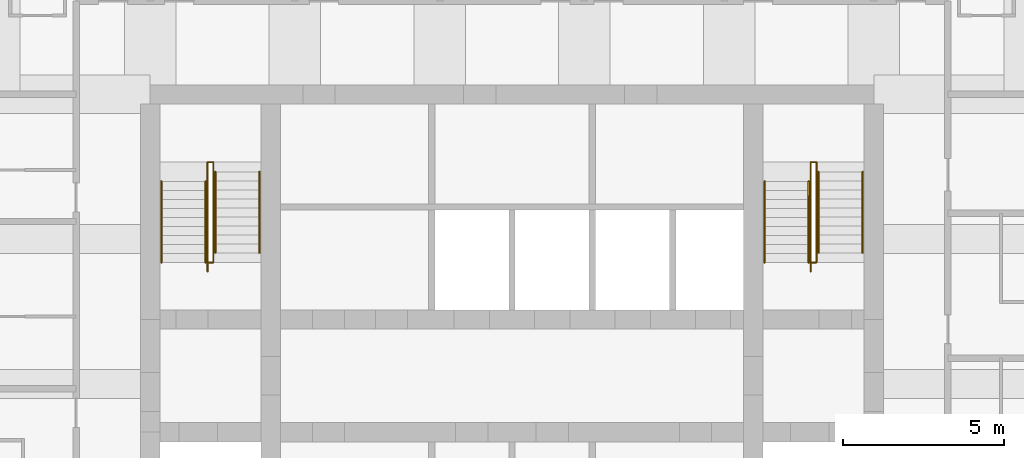
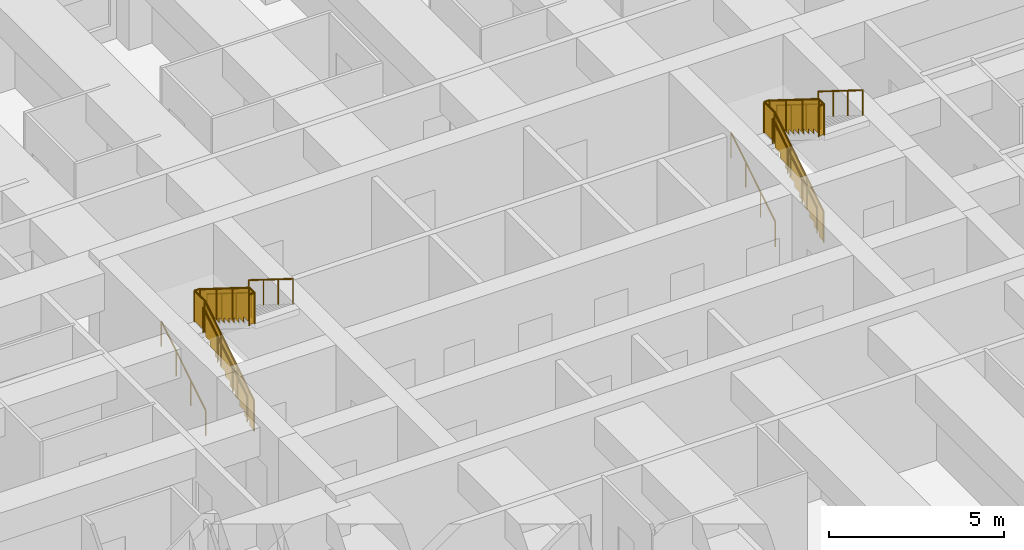
# One storey, part 8 of 8: 12 railings.
"""IFC4 building model written with IfcOpenShell, lengths in metres."""

from ifc_helpers import new_model, si_unit, direction, frame, origin, origin_2d, place, context, subcontext, project, spatial, polyline, circle, outline, extrude, material, type_object, element, save


model = new_model("IFC4")

# Units and contexts
model_context = context("Model", 3, precision=1e-05, world=origin(), true_north=direction((0.0, 1.0)))
body_context = subcontext(model_context, "Body", "Model", "MODEL_VIEW")
ifc_project = project(units=[si_unit("LENGTHUNIT", "METRE"), si_unit("AREAUNIT", "SQUARE_METRE"), si_unit("VOLUMEUNIT", "CUBIC_METRE"), si_unit("PLANEANGLEUNIT", "RADIAN"), si_unit("MASSUNIT", "GRAM", prefix="KILO")], contexts=[model_context])

# Site, building, storey
site_placement = place(None, origin())
site = spatial("IfcSite", under=ifc_project, at=site_placement, CompositionType="ELEMENT")
building_placement = place(site_placement, origin())
building = spatial("IfcBuilding", under=site, at=building_placement, Name="Kilele Tower Hotel", CompositionType="ELEMENT")
storey_placement = place(building_placement, frame((0.0, 0.0, 190.39990234375)))
storey = spatial("IfcBuildingStorey", under=building, at=storey_placement, Name="L49", CompositionType="ELEMENT", Elevation=190.39990234375)

# Railings
ifc_material_1 = material(Name="Steel handrail", Category="steel")
railing_type_1 = type_object("IfcRailingType", Name="Handrail 900", PredefinedType="HANDRAIL", material=ifc_material_1)
for number, where, name in (
    (1, (13.85009765625, 21.77490234375, 0.175048828125), "Handrail ST1 flight 1"),
    (2, (15.22509765625, 21.77490234375, 0.175048828125), "Handrail ST1 flight 1"),
):
    element("IfcRailing", number, at=place(storey_placement, frame(where)), inside=storey, type_object=railing_type_1, Name=name, PredefinedType="HANDRAIL", context=body_context, shape_type="SweptSolid", body=[
        extrude(circle(Radius=0.02490234375, at=origin_2d()), frame((0.0, 0.0, 0.875), z_axis=(0.0, 0.848007534815, 0.529984170421), x_axis=(-1.0, 0.0, 0.0)), (0.0, 0.0, 1.0), 2.9716796875),
        extrude(circle(Radius=0.02001953125, at=origin_2d()), origin(), (0.0, 0.0, 1.0), 0.849853515625),
        extrude(circle(Radius=0.02001953125, at=origin_2d()), frame((0.0, 0.840087890625, 0.52490234375)), (0.0, 0.0, 1.0), 0.849853515625),
        extrude(circle(Radius=0.02001953125, at=origin_2d()), frame((0.0, 1.679931640625, 1.050048828125)), (0.0, 0.0, 1.0), 0.849853515625),
        extrude(circle(Radius=0.02001953125, at=origin_2d()), frame((0.0, 2.52001953125, 1.574951171875)), (0.0, 0.0, 1.0), 0.849853515625),
    ])
for number, where, name in (
    (3, (15.52490234375, 24.594970703125, 1.925048828125), "Handrail ST1 flight 2"),
    (4, (16.89990234375, 24.594970703125, 1.925048828125), "Handrail ST1 flight 2"),
):
    element("IfcRailing", number, at=place(storey_placement, frame(where)), inside=storey, type_object=railing_type_1, Name=name, PredefinedType="HANDRAIL", context=body_context, shape_type="SweptSolid", body=[
        extrude(circle(Radius=0.02490234375, at=origin_2d()), frame((0.0, 0.0, 0.875), z_axis=(0.0, -0.848007534815, 0.529984170421), x_axis=(1.0, 0.0, 0.0)), (0.0, 0.0, 1.0), 2.9716796875),
        extrude(circle(Radius=0.02001953125, at=origin_2d()), origin(), (0.0, 0.0, 1.0), 0.849853515625),
        extrude(circle(Radius=0.02001953125, at=origin_2d()), frame((0.0, -0.840087890625, 0.52490234375)), (0.0, 0.0, 1.0), 0.849853515625),
        extrude(circle(Radius=0.02001953125, at=origin_2d()), frame((0.0, -1.679931640625, 1.050048828125)), (0.0, 0.0, 1.0), 0.849853515625),
        extrude(circle(Radius=0.02001953125, at=origin_2d()), frame((0.0, -2.52001953125, 1.574951171875)), (0.0, 0.0, 1.0), 0.849853515625),
    ])
for number, where, name in (
    (5, (32.60009765625, 21.77490234375, 0.175048828125), "Handrail ST2 flight 1"),
    (6, (33.97509765625, 21.77490234375, 0.175048828125), "Handrail ST2 flight 1"),
):
    element("IfcRailing", number, at=place(storey_placement, frame(where)), inside=storey, type_object=railing_type_1, Name=name, PredefinedType="HANDRAIL", context=body_context, shape_type="SweptSolid", body=[
        extrude(circle(Radius=0.02490234375, at=origin_2d()), frame((0.0, 0.0, 0.875), z_axis=(0.0, 0.848007534815, 0.529984170421), x_axis=(-1.0, 0.0, 0.0)), (0.0, 0.0, 1.0), 2.9716796875),
        extrude(circle(Radius=0.02001953125, at=origin_2d()), origin(), (0.0, 0.0, 1.0), 0.849853515625),
        extrude(circle(Radius=0.02001953125, at=origin_2d()), frame((0.0, 0.840087890625, 0.52490234375)), (0.0, 0.0, 1.0), 0.849853515625),
        extrude(circle(Radius=0.02001953125, at=origin_2d()), frame((0.0, 1.679931640625, 1.050048828125)), (0.0, 0.0, 1.0), 0.849853515625),
        extrude(circle(Radius=0.02001953125, at=origin_2d()), frame((0.0, 2.52001953125, 1.574951171875)), (0.0, 0.0, 1.0), 0.849853515625),
    ])
for number, where, name in (
    (7, (34.27490234375, 24.594970703125, 1.925048828125), "Handrail ST2 flight 2"),
    (8, (35.64990234375, 24.594970703125, 1.925048828125), "Handrail ST2 flight 2"),
):
    element("IfcRailing", number, at=place(storey_placement, frame(where)), inside=storey, type_object=railing_type_1, Name=name, PredefinedType="HANDRAIL", context=body_context, shape_type="SweptSolid", body=[
        extrude(circle(Radius=0.02490234375, at=origin_2d()), frame((0.0, 0.0, 0.875), z_axis=(0.0, -0.848007534815, 0.529984170421), x_axis=(1.0, 0.0, 0.0)), (0.0, 0.0, 1.0), 2.9716796875),
        extrude(circle(Radius=0.02001953125, at=origin_2d()), origin(), (0.0, 0.0, 1.0), 0.849853515625),
        extrude(circle(Radius=0.02001953125, at=origin_2d()), frame((0.0, -0.840087890625, 0.52490234375)), (0.0, 0.0, 1.0), 0.849853515625),
        extrude(circle(Radius=0.02001953125, at=origin_2d()), frame((0.0, -1.679931640625, 1.050048828125)), (0.0, 0.0, 1.0), 0.849853515625),
        extrude(circle(Radius=0.02001953125, at=origin_2d()), frame((0.0, -2.52001953125, 1.574951171875)), (0.0, 0.0, 1.0), 0.849853515625),
    ])
ifc_material_2 = material(Name="Steel guard", Category="steel")
railing_type_2 = type_object("IfcRailingType", Name="Stair guard 1100", PredefinedType="GUARDRAIL", material=ifc_material_2)
railing_1_placement = place(storey_placement, frame((15.284912109375, 21.4951171875, 0.0)))
element("IfcRailing", 9, at=railing_1_placement, inside=storey, type_object=railing_type_2, Name="Stair well guard ST1 flight 1", PredefinedType="GUARDRAIL", context=body_context, shape_type="SweptSolid", body=[
    extrude(circle(Radius=0.02490234375, at=origin_2d()), frame((0.0, 0.0, 1.0751953125), z_axis=(0.0, 0.847981687118, 0.530025526095), x_axis=(-1.0, 0.0, 0.0)), (0.0, 0.0, 1.0), 3.3017578125),
    extrude(circle(Radius=0.02490234375, at=origin_2d()), frame((0.0, 2.7998046875, 2.8251953125), z_axis=(0.0, 1.0, 0.0), x_axis=(-1.0, 0.0, 0.0)), (0.0, 0.0, 1.0), 0.60009765625),
    extrude(circle(Radius=0.02490234375, at=origin_2d()), frame((0.0, 3.39990234375, 2.8251953125), z_axis=(1.0, 0.0, 0.0), x_axis=(0.0, 1.0, 0.0)), (0.0, 0.0, 1.0), 0.18017578125),
    extrude(circle(Radius=0.02490234375, at=origin_2d()), origin(), (0.0, 0.0, 1.0), 1.050048828125),
    extrude(circle(Radius=0.02490234375, at=origin_2d()), frame((0.0, 0.933349609375, 0.583251953125)), (0.0, 0.0, 1.0), 1.050048828125),
    extrude(circle(Radius=0.02490234375, at=origin_2d()), frame((0.0, 1.866455078125, 1.166748046875)), (0.0, 0.0, 1.0), 1.050048828125),
    extrude(circle(Radius=0.02490234375, at=origin_2d()), frame((0.0, 2.7998046875, 1.75)), (0.0, 0.0, 1.0), 1.050048828125),
    extrude(circle(Radius=0.02490234375, at=origin_2d()), frame((0.0, 3.39990234375, 1.75)), (0.0, 0.0, 1.0), 1.050048828125),
    extrude(circle(Radius=0.02490234375, at=origin_2d()), frame((0.18017578125, 3.39990234375, 1.75)), (0.0, 0.0, 1.0), 1.050048828125),
    extrude(outline(polyline([(0.012451171875, 0.030029296875), (0.25, 0.030029296875), (0.25, 0.205078125), (0.530029296875, 0.205078125), (0.530029296875, 0.380126953125), (0.809814453125, 0.380126953125), (0.809814453125, 0.554931640625), (1.08984375, 0.554931640625), (1.08984375, 0.72998046875), (1.369873046875, 0.72998046875), (1.369873046875, 0.905029296875), (1.64990234375, 0.905029296875), (1.64990234375, 1.080078125), (1.929931640625, 1.080078125), (1.929931640625, 1.255126953125), (2.209716796875, 1.255126953125), (2.209716796875, 1.429931640625), (2.48974609375, 1.429931640625), (2.48974609375, 1.60498046875), (2.769775390625, 1.60498046875), (2.769775390625, 1.780029296875), (2.787353515625, 1.780029296875), (2.787353515625, 2.787841796875), (0.012451171875, 1.053466796875), (0.012451171875, 0.030029296875)])), frame((-0.005859375, 0.0, 0.0), z_axis=(1.0, 0.0, 0.0), x_axis=(0.0, 1.0, 0.0)), (0.0, 0.0, 1.0), 0.011962890625),
    extrude(outline(polyline([(0.012451171875, 0.030029296875), (0.587646484375, 0.030029296875), (0.587646484375, 1.050048828125), (0.012451171875, 1.050048828125), (0.012451171875, 0.030029296875)])), frame((-0.005859375, 2.7998046875, 1.75), z_axis=(1.0, 0.0, 0.0), x_axis=(0.0, 1.0, 0.0)), (0.0, 0.0, 1.0), 0.011962890625),
    extrude(outline(polyline([(0.012451171875, 0.030029296875), (0.18017578125, 0.030029296875), (0.18017578125, 1.050048828125), (0.012451171875, 1.050048828125), (0.012451171875, 0.030029296875)])), frame((0.0, 3.40576171875, 1.75), z_axis=(0.0, -1.0, 0.0), x_axis=(1.0, 0.0, 0.0)), (0.0, 0.0, 1.0), 0.011962890625),
])
railing_2_placement = place(storey_placement, frame((15.465087890625, 24.89501953125, 1.75)))
element("IfcRailing", 10, at=railing_2_placement, inside=storey, type_object=railing_type_2, Name="Stair well guard ST1 flight 2", PredefinedType="GUARDRAIL", context=body_context, shape_type="SweptSolid", body=[
    extrude(circle(Radius=0.02490234375, at=origin_2d()), frame((0.0, 0.0, 1.0751953125), z_axis=(0.0, -1.0, 0.0), x_axis=(1.0, 0.0, 0.0)), (0.0, 0.0, 1.0), 0.02001953125),
    extrude(circle(Radius=0.02490234375, at=origin_2d()), frame((0.0, -0.02001953125, 1.0751953125), z_axis=(0.0, -0.848002457836, 0.529992293815), x_axis=(1.0, 0.0, 0.0)), (0.0, 0.0, 1.0), 3.302001953125),
    extrude(circle(Radius=0.02490234375, at=origin_2d()), frame((0.0, -2.820068359375, 2.8251953125), z_axis=(0.0, -1.0, 0.0), x_axis=(1.0, 0.0, 0.0)), (0.0, 0.0, 1.0), 0.300048828125),
    extrude(circle(Radius=0.02490234375, at=origin_2d()), frame((0.0, -3.1201171875, 2.8251953125), z_axis=(-1.0, 0.0, 0.0), x_axis=(0.0, -1.0, 0.0)), (0.0, 0.0, 1.0), 0.18017578125),
    extrude(circle(Radius=0.02490234375, at=origin_2d()), origin(), (0.0, 0.0, 1.0), 1.050048828125),
    extrude(circle(Radius=0.02490234375, at=origin_2d()), frame((0.0, -0.02001953125, 0.0)), (0.0, 0.0, 1.0), 1.050048828125),
    extrude(circle(Radius=0.02490234375, at=origin_2d()), frame((0.0, -0.953369140625, 0.583251953125)), (0.0, 0.0, 1.0), 1.050048828125),
    extrude(circle(Radius=0.02490234375, at=origin_2d()), frame((0.0, -1.88671875, 1.166748046875)), (0.0, 0.0, 1.0), 1.050048828125),
    extrude(circle(Radius=0.02490234375, at=origin_2d()), frame((0.0, -2.820068359375, 1.75)), (0.0, 0.0, 1.0), 1.050048828125),
    extrude(circle(Radius=0.02490234375, at=origin_2d()), frame((0.0, -3.1201171875, 1.75)), (0.0, 0.0, 1.0), 1.050048828125),
    extrude(circle(Radius=0.02490234375, at=origin_2d()), frame((-0.18017578125, -3.1201171875, 1.75)), (0.0, 0.0, 1.0), 1.050048828125),
    extrude(outline(polyline([(0.012451171875, 0.030029296875), (0.25, 0.030029296875), (0.25, 0.205078125), (0.530029296875, 0.205078125), (0.530029296875, 0.380126953125), (0.81005859375, 0.380126953125), (0.81005859375, 0.554931640625), (1.090087890625, 0.554931640625), (1.090087890625, 0.72998046875), (1.3701171875, 0.72998046875), (1.3701171875, 0.905029296875), (1.64990234375, 0.905029296875), (1.64990234375, 1.080078125), (1.929931640625, 1.080078125), (1.929931640625, 1.255126953125), (2.2099609375, 1.255126953125), (2.2099609375, 1.429931640625), (2.489990234375, 1.429931640625), (2.489990234375, 1.60498046875), (2.77001953125, 1.60498046875), (2.77001953125, 1.780029296875), (2.78759765625, 1.780029296875), (2.78759765625, 2.787841796875), (0.012451171875, 1.053466796875), (0.012451171875, 0.030029296875)])), frame((0.005859375, -0.02001953125, 0.0), z_axis=(-1.0, 0.0, 0.0), x_axis=(0.0, -1.0, 0.0)), (0.0, 0.0, 1.0), 0.011962890625),
    extrude(outline(polyline([(0.012451171875, 0.030029296875), (0.28759765625, 0.030029296875), (0.28759765625, 1.050048828125), (0.012451171875, 1.050048828125), (0.012451171875, 0.030029296875)])), frame((0.005859375, -2.820068359375, 1.75), z_axis=(-1.0, 0.0, 0.0), x_axis=(0.0, -1.0, 0.0)), (0.0, 0.0, 1.0), 0.011962890625),
    extrude(outline(polyline([(0.012451171875, 0.030029296875), (0.18017578125, 0.030029296875), (0.18017578125, 1.050048828125), (0.012451171875, 1.050048828125), (0.012451171875, 0.030029296875)])), frame((0.0, -3.1259765625, 1.75), z_axis=(0.0, 1.0, 0.0), x_axis=(-1.0, 0.0, 0.0)), (0.0, 0.0, 1.0), 0.011962890625),
])
railing_3_placement = place(storey_placement, frame((34.034912109375, 21.4951171875, 0.0)))
element("IfcRailing", 11, at=railing_3_placement, inside=storey, type_object=railing_type_2, Name="Stair well guard ST2 flight 1", PredefinedType="GUARDRAIL", context=body_context, shape_type="SweptSolid", body=[
    extrude(circle(Radius=0.02490234375, at=origin_2d()), frame((0.0, 0.0, 1.0751953125), z_axis=(0.0, 0.847981687118, 0.530025526095), x_axis=(-1.0, 0.0, 0.0)), (0.0, 0.0, 1.0), 3.3017578125),
    extrude(circle(Radius=0.02490234375, at=origin_2d()), frame((0.0, 2.7998046875, 2.8251953125), z_axis=(0.0, 1.0, 0.0), x_axis=(-1.0, 0.0, 0.0)), (0.0, 0.0, 1.0), 0.60009765625),
    extrude(circle(Radius=0.02490234375, at=origin_2d()), frame((0.0, 3.39990234375, 2.8251953125), z_axis=(1.0, 0.0, 0.0), x_axis=(0.0, 1.0, 0.0)), (0.0, 0.0, 1.0), 0.18017578125),
    extrude(circle(Radius=0.02490234375, at=origin_2d()), origin(), (0.0, 0.0, 1.0), 1.050048828125),
    extrude(circle(Radius=0.02490234375, at=origin_2d()), frame((0.0, 0.933349609375, 0.583251953125)), (0.0, 0.0, 1.0), 1.050048828125),
    extrude(circle(Radius=0.02490234375, at=origin_2d()), frame((0.0, 1.866455078125, 1.166748046875)), (0.0, 0.0, 1.0), 1.050048828125),
    extrude(circle(Radius=0.02490234375, at=origin_2d()), frame((0.0, 2.7998046875, 1.75)), (0.0, 0.0, 1.0), 1.050048828125),
    extrude(circle(Radius=0.02490234375, at=origin_2d()), frame((0.0, 3.39990234375, 1.75)), (0.0, 0.0, 1.0), 1.050048828125),
    extrude(circle(Radius=0.02490234375, at=origin_2d()), frame((0.18017578125, 3.39990234375, 1.75)), (0.0, 0.0, 1.0), 1.050048828125),
    extrude(outline(polyline([(0.012451171875, 0.030029296875), (0.25, 0.030029296875), (0.25, 0.205078125), (0.530029296875, 0.205078125), (0.530029296875, 0.380126953125), (0.809814453125, 0.380126953125), (0.809814453125, 0.554931640625), (1.08984375, 0.554931640625), (1.08984375, 0.72998046875), (1.369873046875, 0.72998046875), (1.369873046875, 0.905029296875), (1.64990234375, 0.905029296875), (1.64990234375, 1.080078125), (1.929931640625, 1.080078125), (1.929931640625, 1.255126953125), (2.209716796875, 1.255126953125), (2.209716796875, 1.429931640625), (2.48974609375, 1.429931640625), (2.48974609375, 1.60498046875), (2.769775390625, 1.60498046875), (2.769775390625, 1.780029296875), (2.787353515625, 1.780029296875), (2.787353515625, 2.787841796875), (0.012451171875, 1.053466796875), (0.012451171875, 0.030029296875)])), frame((-0.005859375, 0.0, 0.0), z_axis=(1.0, 0.0, 0.0), x_axis=(0.0, 1.0, 0.0)), (0.0, 0.0, 1.0), 0.011962890625),
    extrude(outline(polyline([(0.012451171875, 0.030029296875), (0.587646484375, 0.030029296875), (0.587646484375, 1.050048828125), (0.012451171875, 1.050048828125), (0.012451171875, 0.030029296875)])), frame((-0.005859375, 2.7998046875, 1.75), z_axis=(1.0, 0.0, 0.0), x_axis=(0.0, 1.0, 0.0)), (0.0, 0.0, 1.0), 0.011962890625),
    extrude(outline(polyline([(0.012451171875, 0.030029296875), (0.18017578125, 0.030029296875), (0.18017578125, 1.050048828125), (0.012451171875, 1.050048828125), (0.012451171875, 0.030029296875)])), frame((0.0, 3.40576171875, 1.75), z_axis=(0.0, -1.0, 0.0), x_axis=(1.0, 0.0, 0.0)), (0.0, 0.0, 1.0), 0.011962890625),
])
railing_4_placement = place(storey_placement, frame((34.215087890625, 24.89501953125, 1.75)))
element("IfcRailing", 12, at=railing_4_placement, inside=storey, type_object=railing_type_2, Name="Stair well guard ST2 flight 2", PredefinedType="GUARDRAIL", context=body_context, shape_type="SweptSolid", body=[
    extrude(circle(Radius=0.02490234375, at=origin_2d()), frame((0.0, 0.0, 1.0751953125), z_axis=(0.0, -1.0, 0.0), x_axis=(1.0, 0.0, 0.0)), (0.0, 0.0, 1.0), 0.02001953125),
    extrude(circle(Radius=0.02490234375, at=origin_2d()), frame((0.0, -0.02001953125, 1.0751953125), z_axis=(0.0, -0.848002457836, 0.529992293815), x_axis=(1.0, 0.0, 0.0)), (0.0, 0.0, 1.0), 3.302001953125),
    extrude(circle(Radius=0.02490234375, at=origin_2d()), frame((0.0, -2.820068359375, 2.8251953125), z_axis=(0.0, -1.0, 0.0), x_axis=(1.0, 0.0, 0.0)), (0.0, 0.0, 1.0), 0.300048828125),
    extrude(circle(Radius=0.02490234375, at=origin_2d()), frame((0.0, -3.1201171875, 2.8251953125), z_axis=(-1.0, 0.0, 0.0), x_axis=(0.0, -1.0, 0.0)), (0.0, 0.0, 1.0), 0.18017578125),
    extrude(circle(Radius=0.02490234375, at=origin_2d()), origin(), (0.0, 0.0, 1.0), 1.050048828125),
    extrude(circle(Radius=0.02490234375, at=origin_2d()), frame((0.0, -0.02001953125, 0.0)), (0.0, 0.0, 1.0), 1.050048828125),
    extrude(circle(Radius=0.02490234375, at=origin_2d()), frame((0.0, -0.953369140625, 0.583251953125)), (0.0, 0.0, 1.0), 1.050048828125),
    extrude(circle(Radius=0.02490234375, at=origin_2d()), frame((0.0, -1.88671875, 1.166748046875)), (0.0, 0.0, 1.0), 1.050048828125),
    extrude(circle(Radius=0.02490234375, at=origin_2d()), frame((0.0, -2.820068359375, 1.75)), (0.0, 0.0, 1.0), 1.050048828125),
    extrude(circle(Radius=0.02490234375, at=origin_2d()), frame((0.0, -3.1201171875, 1.75)), (0.0, 0.0, 1.0), 1.050048828125),
    extrude(circle(Radius=0.02490234375, at=origin_2d()), frame((-0.18017578125, -3.1201171875, 1.75)), (0.0, 0.0, 1.0), 1.050048828125),
    extrude(outline(polyline([(0.012451171875, 0.030029296875), (0.25, 0.030029296875), (0.25, 0.205078125), (0.530029296875, 0.205078125), (0.530029296875, 0.380126953125), (0.81005859375, 0.380126953125), (0.81005859375, 0.554931640625), (1.090087890625, 0.554931640625), (1.090087890625, 0.72998046875), (1.3701171875, 0.72998046875), (1.3701171875, 0.905029296875), (1.64990234375, 0.905029296875), (1.64990234375, 1.080078125), (1.929931640625, 1.080078125), (1.929931640625, 1.255126953125), (2.2099609375, 1.255126953125), (2.2099609375, 1.429931640625), (2.489990234375, 1.429931640625), (2.489990234375, 1.60498046875), (2.77001953125, 1.60498046875), (2.77001953125, 1.780029296875), (2.78759765625, 1.780029296875), (2.78759765625, 2.787841796875), (0.012451171875, 1.053466796875), (0.012451171875, 0.030029296875)])), frame((0.005859375, -0.02001953125, 0.0), z_axis=(-1.0, 0.0, 0.0), x_axis=(0.0, -1.0, 0.0)), (0.0, 0.0, 1.0), 0.011962890625),
    extrude(outline(polyline([(0.012451171875, 0.030029296875), (0.28759765625, 0.030029296875), (0.28759765625, 1.050048828125), (0.012451171875, 1.050048828125), (0.012451171875, 0.030029296875)])), frame((0.005859375, -2.820068359375, 1.75), z_axis=(-1.0, 0.0, 0.0), x_axis=(0.0, -1.0, 0.0)), (0.0, 0.0, 1.0), 0.011962890625),
    extrude(outline(polyline([(0.012451171875, 0.030029296875), (0.18017578125, 0.030029296875), (0.18017578125, 1.050048828125), (0.012451171875, 1.050048828125), (0.012451171875, 0.030029296875)])), frame((0.0, -3.1259765625, 1.75), z_axis=(0.0, 1.0, 0.0), x_axis=(-1.0, 0.0, 0.0)), (0.0, 0.0, 1.0), 0.011962890625),
])

save(model, "model.ifc")
